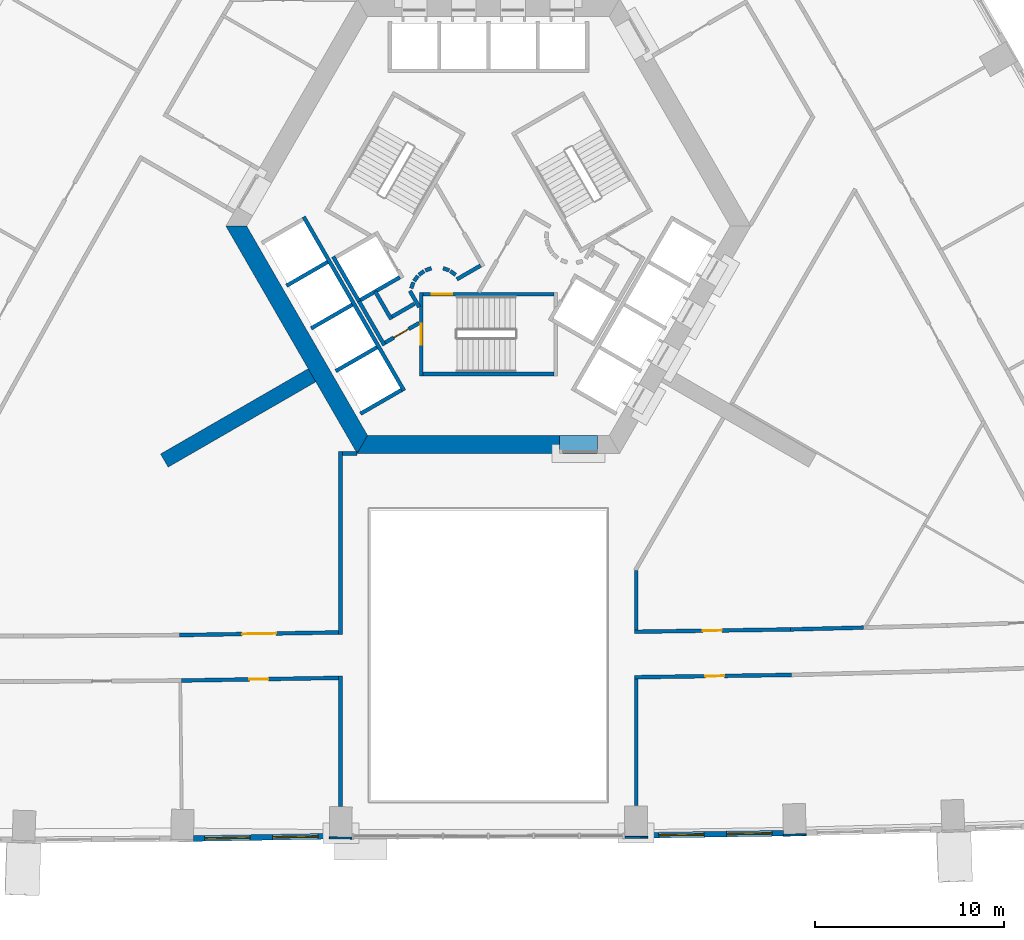
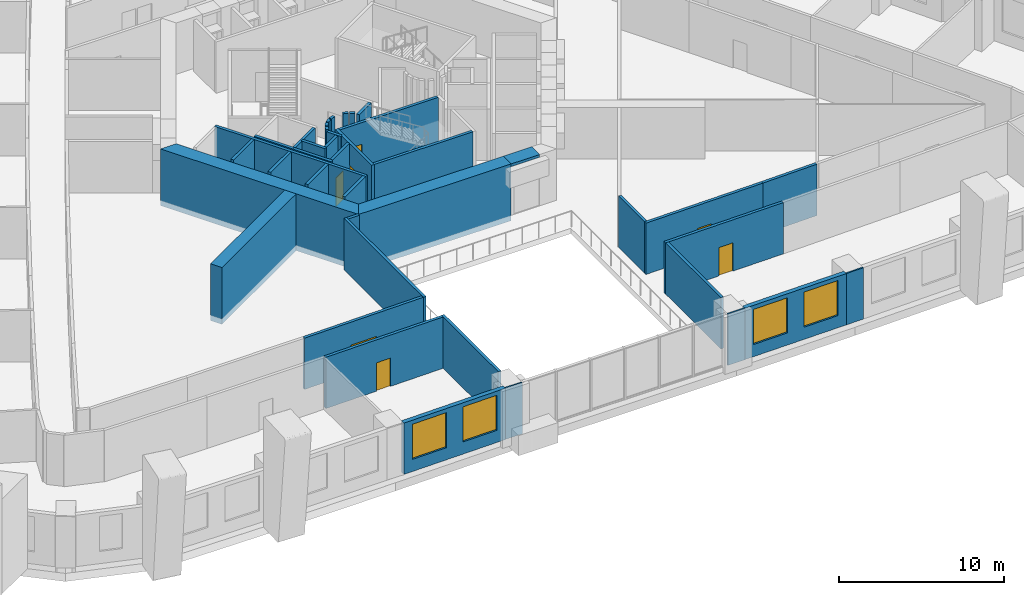
# One storey, part 5 of 17: 41 walls, 7 doors, 4 windows, 11 openings.
"""IFC4 building model written with IfcOpenShell, lengths in metres."""

from ifc_helpers import new_model, si_unit, direction, frame, frame_2d, origin, place, context, subcontext, project, spatial, polyline, rectangle, outline, extrude, material, layer, layer_set, type_object, element, fill, save


model = new_model("IFC4")

# Units and contexts
model_context = context("Model", 3, precision=1e-05, world=origin(), true_north=direction((0.0, 1.0)))
body_context = subcontext(model_context, "Body", "Model", "MODEL_VIEW")
ifc_project = project(units=[si_unit("LENGTHUNIT", "METRE"), si_unit("AREAUNIT", "SQUARE_METRE"), si_unit("VOLUMEUNIT", "CUBIC_METRE"), si_unit("PLANEANGLEUNIT", "RADIAN"), si_unit("MASSUNIT", "GRAM", prefix="KILO")], contexts=[model_context])

# Site, building, storey
site_placement = place(None, origin())
site = spatial("IfcSite", under=ifc_project, at=site_placement, CompositionType="ELEMENT")
building_placement = place(site_placement, origin())
building = spatial("IfcBuilding", under=site, at=building_placement, Name="Entoto Arch Interchange Tower", CompositionType="ELEMENT")
storey_placement = place(building_placement, frame((0.0, 0.0, 72.800048828125)))
storey = spatial("IfcBuildingStorey", under=building, at=storey_placement, Name="L15", CompositionType="ELEMENT", Elevation=72.800048828125)

# Walls
ifc_material_1 = material(Name="Concrete C60/75", Category="concrete")
ifc_layer_1 = layer(ifc_material_1, 0.800048828125)
ifc_layer_set_1 = layer_set([ifc_layer_1], Name="Concrete C60/75")
wall_type_1 = type_object("IfcWallType", Name="Buttress wall 800 C60/75", PredefinedType="SHEAR", material=ifc_layer_set_1)
wall_1_placement = place(storey_placement, frame((-9.31005859375, -5.375, -0.400146484375), z_axis=(0.0, 0.0, 1.0), x_axis=(-0.866017533419, -0.500013631625, 0.0)))
element("IfcWall", 1, at=wall_1_placement, inside=storey, type_object=wall_type_1, Name="Buttress wall SW L15", PredefinedType="SHEAR", context=body_context, shape_type="SweptSolid", body=[
    extrude(rectangle(XDim=8.999755859375, YDim=0.800048828125, at=frame_2d((4.5, 0.0))), origin(), (0.0, 0.0, 1.0), 4.2001953125),
])
ifc_layer_2 = layer(ifc_material_1, 0.949951171875)
ifc_layer_set_2 = layer_set([ifc_layer_2], Name="Concrete C60/75")
wall_type_2 = type_object("IfcWallType", Name="Core wall 950 C60/75", PredefinedType="SHEAR", material=ifc_layer_set_2)
wall_2_placement = place(storey_placement, frame((0.0, 0.0, -0.400146484375)))
element("IfcWall", 2, at=wall_2_placement, inside=storey, type_object=wall_type_2, Name="Core wall SW L15", PredefinedType="SHEAR", context=body_context, shape_type="SweptSolid", body=[
    extrude(outline(polyline([(-13.85595703125, 2.5), (-6.927978515625, -9.5), (-6.3798828125, -8.550048828125), (-12.759033203125, 2.5), (-13.85595703125, 2.5)])), origin(), (0.0, 0.0, 1.0), 4.2001953125),
])
wall_3_placement = place(storey_placement, frame((0.0, 0.0, -0.400146484375)))
element("IfcWall", 3, at=wall_3_placement, inside=storey, type_object=wall_type_2, Name="Core wall S L15", PredefinedType="SHEAR", context=body_context, shape_type="SweptSolid", body=[
    extrude(outline(polyline([(3.75, -9.5), (3.75, -8.550048828125), (-6.3798828125, -8.550048828125), (-6.927978515625, -9.5), (3.75, -9.5)])), origin(), (0.0, 0.0, 1.0), 4.2001953125),
])
wall_4_placement = place(storey_placement, frame((0.0, 0.0, 3.599853515625)))
element("IfcWall", 4, at=wall_4_placement, inside=storey, type_object=wall_type_2, Name="Core wall lintel S L15", PredefinedType="SHEAR", context=body_context, shape_type="SweptSolid", body=[
    extrude(outline(polyline([(5.75, -9.5), (5.75, -8.550048828125), (3.75, -8.550048828125), (3.75, -9.5), (5.75, -9.5)])), origin(), (0.0, 0.0, 1.0), 0.2001953125),
])
ifc_material_2 = material(Name="Concrete C40/50", Category="concrete")
ifc_layer_3 = layer(ifc_material_2, 0.199951171875)
ifc_layer_set_3 = layer_set([ifc_layer_3], Name="Concrete C40/50")
wall_type_3 = type_object("IfcWallType", Name="LIFT SHAFT WALL 200", PredefinedType="STANDARD", material=ifc_layer_set_3)
wall_5_placement = place(storey_placement, frame((-8.19189453125, 0.887939453125, 0.0), z_axis=(0.0, 0.0, 1.0), x_axis=(0.49994636267, -0.866056369097, 0.0)))
element("IfcWall", 5, at=wall_5_placement, inside=storey, type_object=wall_type_3, Name="Shaft wall SW1 back", PredefinedType="STANDARD", context=body_context, shape_type="SweptSolid", body=[
    extrude(rectangle(XDim=2.800048828125, YDim=0.199951171875, at=frame_2d((1.39990234375, 0.0))), origin(), (0.0, 0.0, 1.0), 3.800048828125),
])
wall_6_placement = place(storey_placement, frame((-4.677001953125, -0.199951171875, 0.0), z_axis=(0.0, 0.0, 1.0), x_axis=(-0.865973769406, -0.500089422704, 0.0)))
element("IfcWall", 6, at=wall_6_placement, inside=storey, type_object=wall_type_3, Name="Shaft wall SW1 cross 2", PredefinedType="STANDARD", context=body_context, shape_type="SweptSolid", body=[
    extrude(rectangle(XDim=2.3994140625, YDim=0.199951171875, at=frame_2d((1.19970703125, 0.0))), origin(), (0.0, 0.0, 1.0), 3.800048828125),
])
wall_7_placement = place(storey_placement, frame((-9.7509765625, 2.989990234375, 0.0), z_axis=(0.0, 0.0, 1.0), x_axis=(0.50000090737, -0.866024879913, 0.0)))
element("IfcWall", 7, at=wall_7_placement, inside=storey, type_object=wall_type_3, Name="Shaft wall SW3 front", PredefinedType="STANDARD", context=body_context, shape_type="SweptSolid", body=[
    extrude(rectangle(XDim=10.60009765625, YDim=0.199951171875, at=frame_2d((5.300048828125, 0.0))), origin(), (0.0, 0.0, 1.0), 3.800048828125),
])
for number, where, z_axis, x_axis, name in (
    (8, (-8.488037109375, 0.60205078125, 0.0), (0.0, 0.0, 1.0), (-0.866022959057, -0.500004234368, 0.0), "Shaft wall SW3 cross 2"),
    (9, (-7.18798828125, -1.64990234375, 0.0), (0.0, 0.0, 1.0), (-0.866022959057, -0.500004234368, 0.0), "Shaft wall SW3 cross 3"),
    (10, (-5.887939453125, -3.902099609375, 0.0), (0.0, 0.0, 1.0), (-0.866022959057, -0.500004234368, 0.0), "Shaft wall SW3 cross 4"),
    (11, (-4.587890625, -6.153076171875, 0.0), (0.0, 0.0, 1.0), (-0.866022959057, -0.500004234368, 0.0), "Shaft wall SW3 cross 5"),
):
    element("IfcWall", number, at=place(storey_placement, frame(where, z_axis=z_axis, x_axis=x_axis)), inside=storey, type_object=wall_type_3, Name=name, PredefinedType="STANDARD", context=body_context, shape_type="SweptSolid", body=[
        extrude(rectangle(XDim=2.5, YDim=0.199951171875, at=frame_2d((1.25, 0.0))), origin(), (0.0, 0.0, 1.0), 3.800048828125),
    ])

# Wall, opening, door
ifc_material_3 = material(Name="Gypsum board partition on steel studs", Category="steel")
ifc_layer_4 = layer(ifc_material_3, 0.199951171875)
ifc_layer_set_4 = layer_set([ifc_layer_4], Name="Gypsum board partition on steel studs")
wall_type_4 = type_object("IfcWallType", Name="PARTITION 200", PredefinedType="PARTITIONING", material=ifc_layer_set_4)
wall_8_placement = place(storey_placement, frame((7.699951171875, -18.912109375, 0.0), z_axis=(0.0, 0.0, 1.0), x_axis=(0.999888819649, 0.014911349423, 0.0)))
wall_8 = element("IfcWall", 12, at=wall_8_placement, inside=storey, type_object=wall_type_4, Name="wall:L15:p020", PredefinedType="PARTITIONING", context=body_context, shape_type="SweptSolid", body=[
    extrude(rectangle(XDim=8.251953125, YDim=0.199951171875, at=frame_2d((4.1259765625, 0.0))), origin(), (0.0, 0.0, 1.0), 3.800048828125),
])
opening_1_placement = place(wall_8_placement, frame((3.6259765625, 0.0, 0.0)))
opening_1 = element("IfcOpeningElement", 13, at=opening_1_placement, cuts=wall_8, Name="Opening L15-D20", PredefinedType="OPENING", context=body_context, shape_type="SweptSolid", body=[
    extrude(rectangle(XDim=1.0, YDim=2.10009765625, at=frame_2d((0.5, 1.050048828125))), frame((0.0, 0.10986328125, 0.0), z_axis=(0.0, -1.0, 0.0), x_axis=(1.0, 0.0, 0.0)), (0.0, 0.0, 1.0), 0.219970703125),
])
ifc_material_4 = material(Name="Timber door leaf in Steel S235 frame", Category="steel")
door_type_1 = type_object("IfcDoorType", Name="DOOR DS-10 1000x2100", OperationType="SINGLE_SWING_LEFT", PredefinedType="DOOR", material=ifc_material_4)
door_1_placement = place(opening_1_placement, origin())
door_1 = element("IfcDoor", 14, at=door_1_placement, inside=storey, type_object=door_type_1, Name="door:L15:20", OperationType="SINGLE_SWING_RIGHT", OverallHeight=2.10009765625, OverallWidth=1.0, PredefinedType="DOOR", context=body_context, shape_type="SweptSolid", body=[
    extrude(rectangle(XDim=1.0, YDim=2.10009765625, at=frame_2d((0.5, 1.050048828125))), frame((0.0, 0.02490234375, 0.0), z_axis=(0.0, -1.0, 0.0), x_axis=(1.0, 0.0, 0.0)), (0.0, 0.0, 1.0), 0.050048828125),
])
fill(opening_1, door_1)

# Wall
wall_9_placement = place(storey_placement, frame((15.950927734375, -18.7890625, 0.0), z_axis=(0.0, 0.0, 1.0), x_axis=(0.999680018084, 0.025295482688, 0.0)))
element("IfcWall", 15, at=wall_9_placement, inside=storey, type_object=wall_type_4, Name="wall:L15:p021", PredefinedType="PARTITIONING", context=body_context, shape_type="SweptSolid", body=[
    extrude(rectangle(XDim=3.84130859375, YDim=0.199951171875, at=frame_2d((1.920654296875, 0.0))), origin(), (0.0, 0.0, 1.0), 3.800048828125),
])

# Wall, opening, door
wall_10_placement = place(storey_placement, frame((-16.298095703125, -19.087890625, 0.0), z_axis=(0.0, 0.0, 1.0), x_axis=(0.999857252997, 0.016895964865, 0.0)))
wall_10 = element("IfcWall", 16, at=wall_10_placement, inside=storey, type_object=wall_type_4, Name="wall:L15:p037", PredefinedType="PARTITIONING", context=body_context, shape_type="SweptSolid", body=[
    extrude(rectangle(XDim=8.395263671875, YDim=0.199951171875, at=frame_2d((4.19775390625, 0.0))), origin(), (0.0, 0.0, 1.0), 3.800048828125),
])
opening_2_placement = place(wall_10_placement, frame((3.298095703125, 0.0, 0.0)))
opening_2 = element("IfcOpeningElement", 17, at=opening_2_placement, cuts=wall_10, Name="Opening L15-D29", PredefinedType="OPENING", context=body_context, shape_type="SweptSolid", body=[
    extrude(rectangle(XDim=1.800048828125, YDim=2.10009765625, at=frame_2d((0.89990234375, 1.050048828125))), frame((0.0, 0.10986328125, 0.0), z_axis=(0.0, -1.0, 0.0), x_axis=(1.0, 0.0, 0.0)), (0.0, 0.0, 1.0), 0.219970703125),
])
door_type_2 = type_object("IfcDoorType", Name="DOOR DD-18 1800x2100", OperationType="DOUBLE_DOOR_SINGLE_SWING", PredefinedType="DOOR", material=ifc_material_4)
door_2_placement = place(opening_2_placement, origin())
door_2 = element("IfcDoor", 18, at=door_2_placement, inside=storey, type_object=door_type_2, Name="door:L15:29", OperationType="DOUBLE_DOOR_SINGLE_SWING", OverallHeight=2.10009765625, OverallWidth=1.800048828125, PredefinedType="DOOR", context=body_context, shape_type="SweptSolid", body=[
    extrude(rectangle(XDim=1.800048828125, YDim=2.10009765625, at=frame_2d((0.89990234375, 1.050048828125))), frame((0.0, 0.02490234375, 0.0), z_axis=(0.0, -1.0, 0.0), x_axis=(1.0, 0.0, 0.0)), (0.0, 0.0, 1.0), 0.050048828125),
])
fill(opening_2, door_2)

wall_11_placement = place(storey_placement, frame((15.9990234375, -21.18896484375, 0.0), z_axis=(0.0, 0.0, 1.0), x_axis=(-0.999888353348, -0.014942584753, 0.0)))
wall_11 = element("IfcWall", 19, at=wall_11_placement, inside=storey, type_object=wall_type_4, Name="wall:L15:p040", PredefinedType="PARTITIONING", context=body_context, shape_type="SweptSolid", body=[
    extrude(rectangle(XDim=8.300048828125, YDim=0.199951171875, at=frame_2d((4.14990234375, 0.0))), origin(), (0.0, 0.0, 1.0), 3.800048828125),
])
opening_3_placement = place(wall_11_placement, frame((3.550048828125, 0.0, 0.0)))
opening_3 = element("IfcOpeningElement", 20, at=opening_3_placement, cuts=wall_11, Name="Opening L15-D01", PredefinedType="OPENING", context=body_context, shape_type="SweptSolid", body=[
    extrude(rectangle(XDim=1.0, YDim=2.10009765625, at=frame_2d((0.5, 1.050048828125))), frame((0.0, 0.10986328125, 0.0), z_axis=(0.0, -1.0, 0.0), x_axis=(1.0, 0.0, 0.0)), (0.0, 0.0, 1.0), 0.219970703125),
])
door_3_placement = place(opening_3_placement, origin())
door_3 = element("IfcDoor", 21, at=door_3_placement, inside=storey, type_object=door_type_1, Name="door:L15:01", OperationType="SINGLE_SWING_LEFT", OverallHeight=2.10009765625, OverallWidth=1.0, PredefinedType="DOOR", context=body_context, shape_type="SweptSolid", body=[
    extrude(rectangle(XDim=1.0, YDim=2.10009765625, at=frame_2d((0.5, 1.050048828125))), frame((0.0, 0.02490234375, 0.0), z_axis=(0.0, -1.0, 0.0), x_axis=(1.0, 0.0, 0.0)), (0.0, 0.0, 1.0), 0.050048828125),
])
fill(opening_3, door_3)

wall_12_placement = place(storey_placement, frame((-7.881103515625, -21.345947265625, 0.0), z_axis=(0.0, 0.0, 1.0), x_axis=(-0.999857974935, -0.016853188395, 0.0)))
wall_12 = element("IfcWall", 22, at=wall_12_placement, inside=storey, type_object=wall_type_4, Name="wall:L15:p078", PredefinedType="PARTITIONING", context=body_context, shape_type="SweptSolid", body=[
    extrude(rectangle(XDim=8.315185546875, YDim=0.199951171875, at=frame_2d((4.15771484375, 0.0))), origin(), (0.0, 0.0, 1.0), 3.800048828125),
])
opening_4_placement = place(wall_12_placement, frame((3.73193359375, 0.0, 0.0)))
opening_4 = element("IfcOpeningElement", 23, at=opening_4_placement, cuts=wall_12, Name="Opening L15-D19", PredefinedType="OPENING", context=body_context, shape_type="SweptSolid", body=[
    extrude(rectangle(XDim=1.0, YDim=2.10009765625, at=frame_2d((0.5, 1.050048828125))), frame((0.0, 0.10986328125, 0.0), z_axis=(0.0, -1.0, 0.0), x_axis=(1.0, 0.0, 0.0)), (0.0, 0.0, 1.0), 0.219970703125),
])
door_4_placement = place(opening_4_placement, origin())
door_4 = element("IfcDoor", 24, at=door_4_placement, inside=storey, type_object=door_type_1, Name="door:L15:19", OperationType="SINGLE_SWING_RIGHT", OverallHeight=2.10009765625, OverallWidth=1.0, PredefinedType="DOOR", context=body_context, shape_type="SweptSolid", body=[
    extrude(rectangle(XDim=1.0, YDim=2.10009765625, at=frame_2d((0.5, 1.050048828125))), frame((0.0, 0.02490234375, 0.0), z_axis=(0.0, -1.0, 0.0), x_axis=(1.0, 0.0, 0.0)), (0.0, 0.0, 1.0), 0.050048828125),
])
fill(opening_4, door_4)

# Walls
wall_13_placement = place(storey_placement, frame((-3.89990234375, -1.59912109375, 0.0), z_axis=(0.0, 0.0, 1.0), x_axis=(-0.865969445389, -0.500096910261, 0.0)))
element("IfcWall", 25, at=wall_13_placement, inside=storey, type_object=wall_type_4, Name="wall:L15:p085", PredefinedType="PARTITIONING", context=body_context, shape_type="SweptSolid", body=[
    extrude(rectangle(XDim=1.373291015625, YDim=0.199951171875, at=frame_2d((0.6865234375, 0.0))), origin(), (0.0, 0.0, 1.0), 3.800048828125),
])
wall_14_placement = place(storey_placement, frame((-5.1259765625, -2.422119140625, 0.0), z_axis=(0.0, 0.0, 1.0), x_axis=(-0.500062241894, 0.865989465428, 0.0)))
element("IfcWall", 26, at=wall_14_placement, inside=storey, type_object=wall_type_4, Name="wall:L15:p086", PredefinedType="PARTITIONING", context=body_context, shape_type="SweptSolid", body=[
    extrude(rectangle(XDim=1.699951171875, YDim=0.199951171875, at=frame_2d((0.85009765625, 0.0))), origin(), (0.0, 0.0, 1.0), 3.800048828125),
])

# Wall, opening, door
wall_15_placement = place(storey_placement, frame((-3.64990234375, -2.610107421875, 0.0), z_axis=(0.0, 0.0, 1.0), x_axis=(-0.866072462134, -0.499918483688, 0.0)))
wall_15 = element("IfcWall", 27, at=wall_15_placement, inside=storey, type_object=wall_type_4, Name="wall:L15:p087", PredefinedType="PARTITIONING", context=body_context, shape_type="SweptSolid", body=[
    extrude(rectangle(XDim=2.084228515625, YDim=0.199951171875, at=frame_2d((1.0419921875, 0.0))), origin(), (0.0, 0.0, 1.0), 3.800048828125),
])
opening_5_placement = place(wall_15_placement, frame((0.64208984375, 0.0, 0.0)))
opening_5 = element("IfcOpeningElement", 28, at=opening_5_placement, cuts=wall_15, Name="Opening L15-D36", PredefinedType="OPENING", context=body_context, shape_type="SweptSolid", body=[
    extrude(rectangle(XDim=0.89990234375, YDim=2.10009765625, at=frame_2d((0.449951171875, 1.050048828125))), frame((0.0, 0.10986328125, 0.0), z_axis=(0.0, -1.0, 0.0), x_axis=(1.0, 0.0, 0.0)), (0.0, 0.0, 1.0), 0.219970703125),
])
door_type_3 = type_object("IfcDoorType", Name="DOOR DS-09 900x2100", OperationType="SINGLE_SWING_LEFT", PredefinedType="DOOR", material=ifc_material_4)
door_5_placement = place(opening_5_placement, origin())
door_5 = element("IfcDoor", 29, at=door_5_placement, inside=storey, type_object=door_type_3, Name="door:L15:36", OperationType="SINGLE_SWING_LEFT", OverallHeight=2.10009765625, OverallWidth=0.89990234375, PredefinedType="DOOR", context=body_context, shape_type="SweptSolid", body=[
    extrude(rectangle(XDim=0.89990234375, YDim=2.10009765625, at=frame_2d((0.449951171875, 1.050048828125))), frame((0.0, 0.02490234375, 0.0), z_axis=(0.0, -1.0, 0.0), x_axis=(1.0, 0.0, 0.0)), (0.0, 0.0, 1.0), 0.050048828125),
])
fill(opening_5, door_5)

# Walls
wall_16_placement = place(storey_placement, frame((-5.491943359375, -3.7880859375, 0.0), z_axis=(0.0, 0.0, 1.0), x_axis=(-0.500008949224, 0.866020236886, 0.0)))
element("IfcWall", 30, at=wall_16_placement, inside=storey, type_object=wall_type_4, Name="wall:L15:p088", PredefinedType="PARTITIONING", context=body_context, shape_type="SweptSolid", body=[
    extrude(rectangle(XDim=2.68017578125, YDim=0.199951171875, at=frame_2d((1.340087890625, 0.0))), origin(), (0.0, 0.0, 1.0), 3.800048828125),
])
wall_17_placement = place(storey_placement, frame((-4.14501953125, -0.919921875, 0.0), z_axis=(0.0, 0.0, 1.0), x_axis=(0.499743786207, -0.866173278362, 0.0)))
element("IfcWall", 31, at=wall_17_placement, inside=storey, type_object=wall_type_4, Name="wall:L15:p089", PredefinedType="PARTITIONING", context=body_context, shape_type="SweptSolid", body=[
    extrude(rectangle(XDim=0.99072265625, YDim=0.199951171875, at=frame_2d((0.495361328125, 0.0))), origin(), (0.0, 0.0, 1.0), 3.800048828125),
])
wall_18_placement = place(storey_placement, frame((-0.412109375, 0.4140625, 0.0), z_axis=(0.0, 0.0, 1.0), x_axis=(-0.866017369001, -0.500013916395, 0.0)))
element("IfcWall", 32, at=wall_18_placement, inside=storey, type_object=wall_type_4, Name="wall:L15:p102", PredefinedType="PARTITIONING", context=body_context, shape_type="SweptSolid", body=[
    extrude(rectangle(XDim=1.4501953125, YDim=0.199951171875, at=frame_2d((0.72509765625, 0.0))), origin(), (0.0, 0.0, 1.0), 3.800048828125),
])
wall_19_placement = place(storey_placement, frame((-1.73095703125, -0.076904296875, 0.0), z_axis=(0.0, 0.0, 1.0), x_axis=(-0.804311165252, 0.594208338422, 0.0)))
element("IfcWall", 33, at=wall_19_placement, inside=storey, type_object=wall_type_4, Name="wall:L15:p103", PredefinedType="PARTITIONING", context=body_context, shape_type="SweptSolid", body=[
    extrude(rectangle(XDim=0.338134765625, YDim=0.199951171875, at=frame_2d((0.1689453125, 0.0))), origin(), (0.0, 0.0, 1.0), 3.800048828125),
])
wall_20_placement = place(storey_placement, frame((-2.070068359375, 0.159912109375, 0.0), z_axis=(0.0, 0.0, 1.0), x_axis=(-0.942199461132, 0.335052496547, 0.0)))
element("IfcWall", 34, at=wall_20_placement, inside=storey, type_object=wall_type_4, Name="wall:L15:p104", PredefinedType="PARTITIONING", context=body_context, shape_type="SweptSolid", body=[
    extrude(rectangle(XDim=0.33740234375, YDim=0.199951171875, at=frame_2d((0.168701171875, 0.0))), origin(), (0.0, 0.0, 1.0), 3.800048828125),
])
wall_21_placement = place(storey_placement, frame((-3.011962890625, 0.27294921875, 0.0), z_axis=(0.0, 0.0, 1.0), x_axis=(-0.942280615813, -0.334824194261, 0.0)))
element("IfcWall", 35, at=wall_21_placement, inside=storey, type_object=wall_type_4, Name="wall:L15:p105", PredefinedType="PARTITIONING", context=body_context, shape_type="SweptSolid", body=[
    extrude(rectangle(XDim=0.337646484375, YDim=0.199951171875, at=frame_2d((0.1689453125, 0.0))), origin(), (0.0, 0.0, 1.0), 3.800048828125),
])
wall_22_placement = place(storey_placement, frame((-3.39697265625, 0.1240234375, 0.0), z_axis=(0.0, 0.0, 1.0), x_axis=(-0.804311165252, -0.594208338422, 0.0)))
element("IfcWall", 36, at=wall_22_placement, inside=storey, type_object=wall_type_4, Name="wall:L15:p106", PredefinedType="PARTITIONING", context=body_context, shape_type="SweptSolid", body=[
    extrude(rectangle(XDim=0.338134765625, YDim=0.199951171875, at=frame_2d((0.1689453125, 0.0))), origin(), (0.0, 0.0, 1.0), 3.800048828125),
])
wall_23_placement = place(storey_placement, frame((-3.722900390625, -0.131103515625, 0.0), z_axis=(0.0, 0.0, 1.0), x_axis=(-0.594675113454, -0.803966112121, 0.0)))
element("IfcWall", 37, at=wall_23_placement, inside=storey, type_object=wall_type_4, Name="wall:L15:p107", PredefinedType="PARTITIONING", context=body_context, shape_type="SweptSolid", body=[
    extrude(rectangle(XDim=0.33837890625, YDim=0.199951171875, at=frame_2d((0.169189453125, 0.0))), origin(), (0.0, 0.0, 1.0), 3.800048828125),
])
wall_24_placement = place(storey_placement, frame((-3.9599609375, -0.469970703125, 0.0), z_axis=(0.0, 0.0, 1.0), x_axis=(-0.334824194261, -0.942280615813, 0.0)))
element("IfcWall", 38, at=wall_24_placement, inside=storey, type_object=wall_type_4, Name="wall:L15:p108", PredefinedType="PARTITIONING", context=body_context, shape_type="SweptSolid", body=[
    extrude(rectangle(XDim=0.337646484375, YDim=0.199951171875, at=frame_2d((0.1689453125, 0.0))), origin(), (0.0, 0.0, 1.0), 3.800048828125),
])
wall_25_placement = place(storey_placement, frame((7.800048828125, -15.68994140625, 0.0), z_axis=(0.0, 0.0, 1.0), x_axis=(0.0, -1.0, 0.0)))
element("IfcWall", 39, at=wall_25_placement, inside=storey, type_object=wall_type_4, Name="wall:L15:p109", PredefinedType="PARTITIONING", context=body_context, shape_type="SweptSolid", body=[
    extrude(rectangle(XDim=3.12109375, YDim=0.199951171875, at=frame_2d((1.560546875, 0.0))), origin(), (0.0, 0.0, 1.0), 3.800048828125),
])
wall_26_placement = place(storey_placement, frame((-7.800048828125, -19.0458984375, 0.0), z_axis=(0.0, 0.0, 1.0), x_axis=(0.0, 1.0, 0.0)))
element("IfcWall", 40, at=wall_26_placement, inside=storey, type_object=wall_type_4, Name="wall:L15:p110", PredefinedType="PARTITIONING", context=body_context, shape_type="SweptSolid", body=[
    extrude(rectangle(XDim=9.64697265625, YDim=0.199951171875, at=frame_2d((4.823486328125, 0.0))), origin(), (0.0, 0.0, 1.0), 3.800048828125),
])
wall_27_placement = place(storey_placement, frame((-7.699951171875, -9.4990234375, 0.0), z_axis=(0.0, 0.0, 1.0), x_axis=(1.0, 0.0, 0.0)))
element("IfcWall", 41, at=wall_27_placement, inside=storey, type_object=wall_type_4, Name="wall:L15:p111", PredefinedType="PARTITIONING", context=body_context, shape_type="SweptSolid", body=[
    extrude(rectangle(XDim=0.77099609375, YDim=0.199951171875, at=frame_2d((0.385498046875, 0.0))), origin(), (0.0, 0.0, 1.0), 3.800048828125),
])
wall_28_placement = place(storey_placement, frame((7.800048828125, -21.410888671875, 0.0), z_axis=(0.0, 0.0, 1.0), x_axis=(0.0, -1.0, 0.0)))
element("IfcWall", 42, at=wall_28_placement, inside=storey, type_object=wall_type_4, Name="wall:L15:p112", PredefinedType="PARTITIONING", context=body_context, shape_type="SweptSolid", body=[
    extrude(rectangle(XDim=6.68115234375, YDim=0.199951171875, at=frame_2d((3.340576171875, 0.0))), origin(), (0.0, 0.0, 1.0), 3.800048828125),
])
wall_29_placement = place(storey_placement, frame((-7.800048828125, -28.1259765625, 0.0), z_axis=(0.0, 0.0, 1.0), x_axis=(0.0, 1.0, 0.0)))
element("IfcWall", 43, at=wall_29_placement, inside=storey, type_object=wall_type_4, Name="wall:L15:p113", PredefinedType="PARTITIONING", context=body_context, shape_type="SweptSolid", body=[
    extrude(rectangle(XDim=6.8798828125, YDim=0.199951171875, at=frame_2d((3.43994140625, 0.0))), origin(), (0.0, 0.0, 1.0), 3.800048828125),
])

# Wall, opening, door
ifc_layer_5 = layer(ifc_material_2, 0.199951171875)
ifc_layer_set_5 = layer_set([ifc_layer_5], Name="Concrete C40/50")
wall_type_5 = type_object("IfcWallType", Name="STAIR ENCLOSURE WALL 200", PredefinedType="STANDARD", material=ifc_layer_set_5)
wall_30_placement = place(storey_placement, frame((-3.550048828125, -1.0, 0.0), z_axis=(0.0, 0.0, 1.0), x_axis=(0.0, -1.0, 0.0)))
wall_30 = element("IfcWall", 44, at=wall_30_placement, inside=storey, type_object=wall_type_5, Name="Stair wall ST-S near", PredefinedType="STANDARD", context=body_context, shape_type="SweptSolid", body=[
    extrude(rectangle(XDim=4.39990234375, YDim=0.199951171875, at=frame_2d((2.199951171875, 0.0))), origin(), (0.0, 0.0, 1.0), 3.800048828125),
])
opening_6_placement = place(wall_30_placement, frame((1.64990234375, 0.0, 0.0)))
opening_6 = element("IfcOpeningElement", 45, at=opening_6_placement, cuts=wall_30, Name="Opening SD-ST-S-L15-E", PredefinedType="OPENING", context=body_context, shape_type="SweptSolid", body=[
    extrude(rectangle(XDim=1.10009765625, YDim=2.199951171875, at=frame_2d((0.550048828125, 1.10009765625))), frame((0.0, 0.10986328125, 0.0), z_axis=(0.0, -1.0, 0.0), x_axis=(1.0, 0.0, 0.0)), (0.0, 0.0, 1.0), 0.219970703125),
])
ifc_material_5 = material(Name="Steel S235", Category="steel")
door_type_4 = type_object("IfcDoorType", Name="STAIR DOOR SD1 1100x2200", OperationType="SINGLE_SWING_LEFT", PredefinedType="DOOR", material=ifc_material_5)
door_6_placement = place(opening_6_placement, origin())
door_6 = element("IfcDoor", 46, at=door_6_placement, inside=storey, type_object=door_type_4, Name="Stair door ST-S L15 end", OperationType="SINGLE_SWING_LEFT", OverallHeight=2.199951171875, OverallWidth=1.10009765625, PredefinedType="DOOR", context=body_context, shape_type="SweptSolid", body=[
    extrude(rectangle(XDim=1.10009765625, YDim=2.199951171875, at=frame_2d((0.550048828125, 1.10009765625))), frame((0.0, 0.02490234375, 0.0), z_axis=(0.0, -1.0, 0.0), x_axis=(1.0, 0.0, 0.0)), (0.0, 0.0, 1.0), 0.050048828125),
])
fill(opening_6, door_6)

wall_31_placement = place(storey_placement, frame((-3.449951171875, -1.10009765625, 0.0), z_axis=(0.0, 0.0, 1.0), x_axis=(1.0, 0.0, 0.0)))
wall_31 = element("IfcWall", 47, at=wall_31_placement, inside=storey, type_object=wall_type_5, Name="Stair wall ST-S hall", PredefinedType="STANDARD", context=body_context, shape_type="SweptSolid", body=[
    extrude(rectangle(XDim=6.89990234375, YDim=0.199951171875, at=frame_2d((3.449951171875, 0.0))), origin(), (0.0, 0.0, 1.0), 3.800048828125),
])
opening_7_placement = place(wall_31_placement, frame((0.449951171875, 0.0, 0.0)))
opening_7 = element("IfcOpeningElement", 48, at=opening_7_placement, cuts=wall_31, Name="Opening SD-ST-S-L15", PredefinedType="OPENING", context=body_context, shape_type="SweptSolid", body=[
    extrude(rectangle(XDim=1.10009765625, YDim=2.199951171875, at=frame_2d((0.550048828125, 1.10009765625))), frame((0.0, 0.10986328125, 0.0), z_axis=(0.0, -1.0, 0.0), x_axis=(1.0, 0.0, 0.0)), (0.0, 0.0, 1.0), 0.219970703125),
])
door_7_placement = place(opening_7_placement, origin())
door_7 = element("IfcDoor", 49, at=door_7_placement, inside=storey, type_object=door_type_4, Name="Stair door ST-S L15", OperationType="SINGLE_SWING_LEFT", OverallHeight=2.199951171875, OverallWidth=1.10009765625, PredefinedType="DOOR", context=body_context, shape_type="SweptSolid", body=[
    extrude(rectangle(XDim=1.10009765625, YDim=2.199951171875, at=frame_2d((0.550048828125, 1.10009765625))), frame((0.0, 0.02490234375, 0.0), z_axis=(0.0, -1.0, 0.0), x_axis=(1.0, 0.0, 0.0)), (0.0, 0.0, 1.0), 0.050048828125),
])
fill(opening_7, door_7)

# Wall
wall_32_placement = place(storey_placement, frame((-3.449951171875, -5.300048828125, 0.0), z_axis=(0.0, 0.0, 1.0), x_axis=(1.0, 0.0, 0.0)))
element("IfcWall", 50, at=wall_32_placement, inside=storey, type_object=wall_type_5, Name="Stair wall ST-S back", PredefinedType="STANDARD", context=body_context, shape_type="SweptSolid", body=[
    extrude(rectangle(XDim=6.89990234375, YDim=0.199951171875, at=frame_2d((3.449951171875, 0.0))), origin(), (0.0, 0.0, 1.0), 3.800048828125),
])

# Wall, openings, windows
ifc_material_6 = material(Name="Welded tuff (ignimbrite) cladding, warm buff", Category="masonry")
ifc_layer_6 = layer(ifc_material_6, 0.300048828125)
ifc_layer_set_6 = layer_set([ifc_layer_6], Name="Welded tuff (ignimbrite) cladding, warm buff")
wall_type_6 = type_object("IfcWallType", Name="STONE INFILL WALL 300", PredefinedType="STANDARD", material=ifc_layer_set_6)
wall_33_placement = place(storey_placement, frame((-15.56689453125, -29.826904296875, 0.0), z_axis=(0.0, 0.0, 1.0), x_axis=(0.999857944706, 0.0168549817, 0.0)))
wall_33 = element("IfcWall", 51, at=wall_33_placement, inside=storey, type_object=wall_type_6, Name="Facade wall S-03 L15", PredefinedType="STANDARD", context=body_context, shape_type="SweptSolid", body=[
    extrude(rectangle(XDim=7.169921875, YDim=0.300048828125, at=frame_2d((3.5849609375, 0.0))), origin(), (0.0, 0.0, 1.0), 3.800048828125),
])
opening_8_placement = place(wall_33_placement, frame((0.593017578125, 0.0, 0.89990234375)))
opening_8 = element("IfcOpeningElement", 52, at=opening_8_placement, cuts=wall_33, Name="Opening WO-A", PredefinedType="OPENING", context=body_context, shape_type="SweptSolid", body=[
    extrude(rectangle(XDim=2.39990234375, YDim=2.60009765625, at=frame_2d((1.199951171875, 1.300048828125))), frame((0.0, 0.16015625, 0.0), z_axis=(0.0, -1.0, 0.0), x_axis=(1.0, 0.0, 0.0)), (0.0, 0.0, 1.0), 0.320068359375),
])
opening_9_placement = place(wall_33_placement, frame((4.177978515625, 0.0, 0.89990234375)))
opening_9 = element("IfcOpeningElement", 53, at=opening_9_placement, cuts=wall_33, Name="Opening WO-A", PredefinedType="OPENING", context=body_context, shape_type="SweptSolid", body=[
    extrude(rectangle(XDim=2.39990234375, YDim=2.60009765625, at=frame_2d((1.199951171875, 1.300048828125))), frame((0.0, 0.16015625, 0.0), z_axis=(0.0, -1.0, 0.0), x_axis=(1.0, 0.0, 0.0)), (0.0, 0.0, 1.0), 0.320068359375),
])
ifc_material_7 = material(Name="Clear glass, low-e double glazed", Category="glass")
window_type = type_object("IfcWindowType", Name="WINDOW WO-A 2400x2600", PartitioningType="DOUBLE_PANEL_VERTICAL", PredefinedType="WINDOW", material=ifc_material_7)
window_1_placement = place(opening_8_placement, origin())
window_1 = element("IfcWindow", 54, at=window_1_placement, inside=storey, type_object=window_type, Name="Window WO-A S-03 L15", OverallHeight=2.60009765625, OverallWidth=2.39990234375, PartitioningType="SINGLE_PANEL", PredefinedType="WINDOW", context=body_context, shape_type="SweptSolid", body=[
    extrude(rectangle(XDim=2.39990234375, YDim=2.60009765625, at=frame_2d((1.199951171875, 1.300048828125))), frame((0.0, 0.030029296875, 0.0), z_axis=(0.0, -1.0, 0.0), x_axis=(1.0, 0.0, 0.0)), (0.0, 0.0, 1.0), 0.06005859375),
])
fill(opening_8, window_1)
window_2_placement = place(opening_9_placement, origin())
window_2 = element("IfcWindow", 55, at=window_2_placement, inside=storey, type_object=window_type, Name="Window WO-A S-03 L15", OverallHeight=2.60009765625, OverallWidth=2.39990234375, PartitioningType="SINGLE_PANEL", PredefinedType="WINDOW", context=body_context, shape_type="SweptSolid", body=[
    extrude(rectangle(XDim=2.39990234375, YDim=2.60009765625, at=frame_2d((1.199951171875, 1.300048828125))), frame((0.0, 0.030029296875, 0.0), z_axis=(0.0, -1.0, 0.0), x_axis=(1.0, 0.0, 0.0)), (0.0, 0.0, 1.0), 0.06005859375),
])
fill(opening_9, window_2)

wall_34_placement = place(storey_placement, frame((8.39794921875, -29.653076171875, 0.0), z_axis=(0.0, 0.0, 1.0), x_axis=(0.999888301342, 0.014946064363, 0.0)))
wall_34 = element("IfcWall", 56, at=wall_34_placement, inside=storey, type_object=wall_type_6, Name="Facade wall S-05 L15", PredefinedType="STANDARD", context=body_context, shape_type="SweptSolid", body=[
    extrude(rectangle(XDim=7.1708984375, YDim=0.300048828125, at=frame_2d((3.58544921875, 0.0))), origin(), (0.0, 0.0, 1.0), 3.800048828125),
])
opening_10_placement = place(wall_34_placement, frame((0.593017578125, 0.0, 0.89990234375)))
opening_10 = element("IfcOpeningElement", 57, at=opening_10_placement, cuts=wall_34, Name="Opening WO-A", PredefinedType="OPENING", context=body_context, shape_type="SweptSolid", body=[
    extrude(rectangle(XDim=2.39990234375, YDim=2.60009765625, at=frame_2d((1.199951171875, 1.300048828125))), frame((0.0, 0.16015625, 0.0), z_axis=(0.0, -1.0, 0.0), x_axis=(1.0, 0.0, 0.0)), (0.0, 0.0, 1.0), 0.320068359375),
])
opening_11_placement = place(wall_34_placement, frame((4.177978515625, 0.0, 0.89990234375)))
opening_11 = element("IfcOpeningElement", 58, at=opening_11_placement, cuts=wall_34, Name="Opening WO-A", PredefinedType="OPENING", context=body_context, shape_type="SweptSolid", body=[
    extrude(rectangle(XDim=2.39990234375, YDim=2.60009765625, at=frame_2d((1.199951171875, 1.300048828125))), frame((0.0, 0.16015625, 0.0), z_axis=(0.0, -1.0, 0.0), x_axis=(1.0, 0.0, 0.0)), (0.0, 0.0, 1.0), 0.320068359375),
])
window_3_placement = place(opening_10_placement, origin())
window_3 = element("IfcWindow", 59, at=window_3_placement, inside=storey, type_object=window_type, Name="Window WO-A S-05 L15", OverallHeight=2.60009765625, OverallWidth=2.39990234375, PartitioningType="SINGLE_PANEL", PredefinedType="WINDOW", context=body_context, shape_type="SweptSolid", body=[
    extrude(rectangle(XDim=2.39990234375, YDim=2.60009765625, at=frame_2d((1.199951171875, 1.300048828125))), frame((0.0, 0.030029296875, 0.0), z_axis=(0.0, -1.0, 0.0), x_axis=(1.0, 0.0, 0.0)), (0.0, 0.0, 1.0), 0.06005859375),
])
fill(opening_10, window_3)
window_4_placement = place(opening_11_placement, origin())
window_4 = element("IfcWindow", 60, at=window_4_placement, inside=storey, type_object=window_type, Name="Window WO-A S-05 L15", OverallHeight=2.60009765625, OverallWidth=2.39990234375, PartitioningType="SINGLE_PANEL", PredefinedType="WINDOW", context=body_context, shape_type="SweptSolid", body=[
    extrude(rectangle(XDim=2.39990234375, YDim=2.60009765625, at=frame_2d((1.199951171875, 1.300048828125))), frame((0.0, 0.030029296875, 0.0), z_axis=(0.0, -1.0, 0.0), x_axis=(1.0, 0.0, 0.0)), (0.0, 0.0, 1.0), 0.06005859375),
])
fill(opening_11, window_4)

# Walls
ifc_layer_7 = layer(ifc_material_6, 0.10009765625)
ifc_layer_set_7 = layer_set([ifc_layer_7], Name="Welded tuff (ignimbrite) cladding, warm buff")
wall_type_7 = type_object("IfcWallType", Name="STONE PIER CLADDING 100", PredefinedType="STANDARD", material=ifc_layer_set_7)
for number, where, z_axis, x_axis, name in (
    (61, (-8.39990234375, -29.791015625, 0.0), (0.0, 0.0, 1.0), (0.999965208912, -0.008341520563, 0.0), "Stone pier S04 L15"),
    (62, (7.199951171875, -29.76708984375, 0.0), (0.0, 0.0, 1.0), (0.999965208912, 0.008341520563, 0.0), "Stone pier S05 L15"),
):
    element("IfcWall", number, at=place(storey_placement, frame(where, z_axis=z_axis, x_axis=x_axis)), inside=storey, type_object=wall_type_7, Name=name, PredefinedType="STANDARD", context=body_context, shape_type="SweptSolid", body=[
        extrude(rectangle(XDim=1.199951171875, YDim=0.10009765625, at=frame_2d((0.60009765625, 0.0))), origin(), (0.0, 0.0, 1.0), 3.800048828125),
    ])
wall_35_placement = place(storey_placement, frame((15.569091796875, -29.64990234375, 0.0), z_axis=(0.0, 0.0, 1.0), x_axis=(0.99976752127, 0.021561618973, 0.0)))
element("IfcWall", 63, at=wall_35_placement, inside=storey, type_object=wall_type_7, Name="Stone pier S06 L15", PredefinedType="STANDARD", context=body_context, shape_type="SweptSolid", body=[
    extrude(rectangle(XDim=1.2001953125, YDim=0.10009765625, at=frame_2d((0.60009765625, 0.0))), origin(), (0.0, 0.0, 1.0), 3.800048828125),
])

save(model, "model.ifc")
